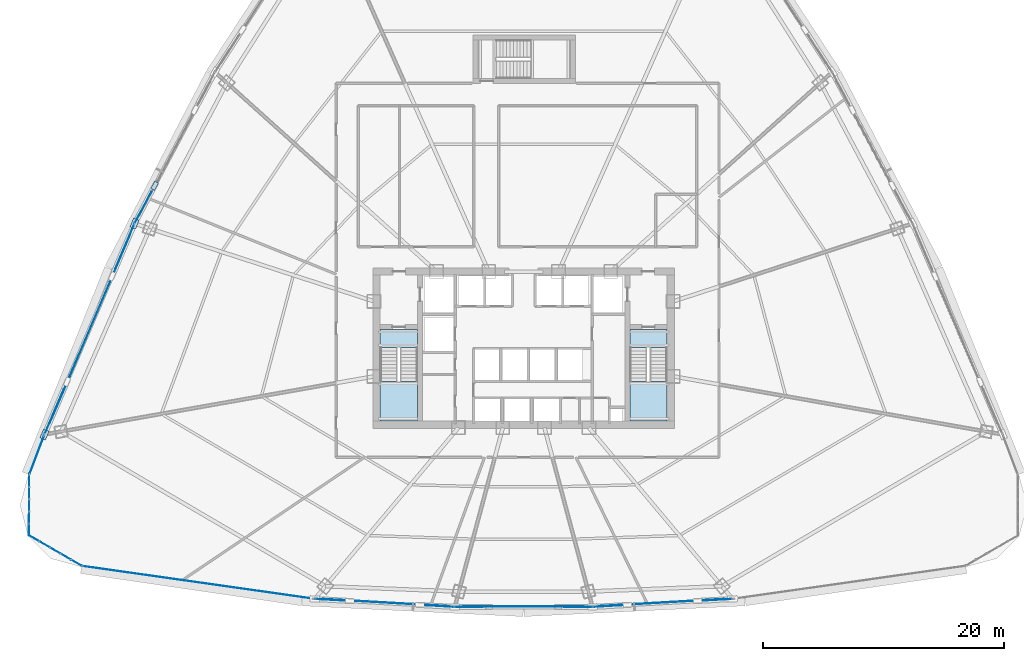
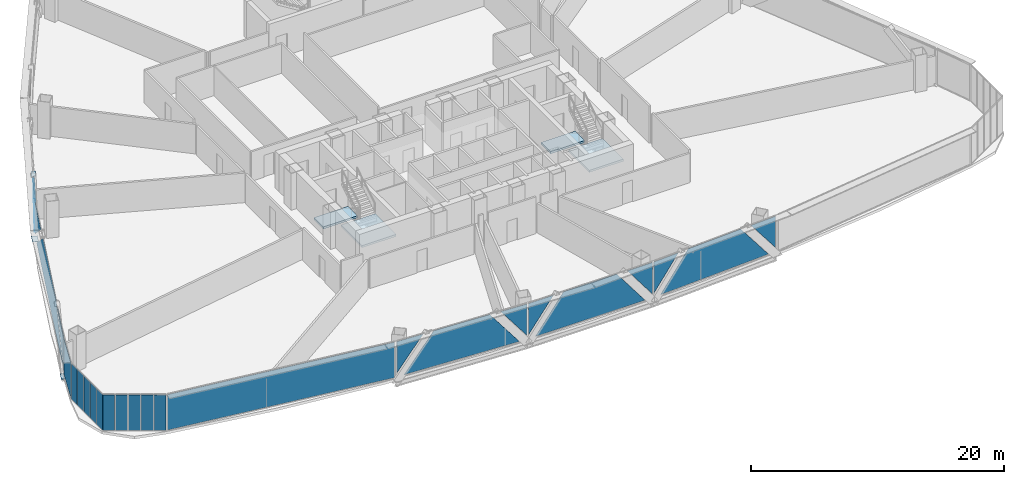
# One storey, part 30 of 41: 28 plates, 4 slabs, 11 elements without a shape of their own.
"""IFC4 building model written with IfcOpenShell, lengths in metres."""

from ifc_helpers import new_model, si_unit, direction, frame, origin, origin_2d, place, context, subcontext, project, spatial, polyline, rectangle, outline, extrude, source, transform, mapped, material, layer, layer_set, type_object, element, aggregate, save


model = new_model("IFC4")

# Units and contexts
model_context = context("Model", 3, precision=1e-05, world=origin(), true_north=direction((0.0, 1.0)))
body_context = subcontext(model_context, "Body", "Model", "MODEL_VIEW")
ifc_project = project(units=[si_unit("LENGTHUNIT", "METRE"), si_unit("AREAUNIT", "SQUARE_METRE"), si_unit("VOLUMEUNIT", "CUBIC_METRE"), si_unit("PLANEANGLEUNIT", "RADIAN"), si_unit("MASSUNIT", "GRAM", prefix="KILO"), si_unit("THERMODYNAMICTEMPERATUREUNIT", "KELVIN"), si_unit("POWERUNIT", "WATT")], contexts=[model_context])

# Site, building, storey
site_placement = place(None, origin())
site = spatial("IfcSite", under=ifc_project, at=site_placement, CompositionType="ELEMENT")
building_placement = place(site_placement, origin())
building = spatial("IfcBuilding", under=site, at=building_placement, Name="Yunzhuo Pagoda Commons", CompositionType="ELEMENT")
storey_placement = place(building_placement, frame((0.0, 0.0, 111.580078125)))
storey = spatial("IfcBuildingStorey", under=building, at=storey_placement, Name="L28", CompositionType="ELEMENT", Elevation=111.580078125)

# Curtain wall, plates
ifc_material_1 = material(Name="Anodized aluminium 6063-T6", Category="aluminium")
ifc_layer_1 = layer(ifc_material_1, 0.1650390625)
ifc_layer_set_1 = layer_set([ifc_layer_1], Name="Anodized aluminium 6063-T6")
curtain_wall_type_1 = type_object("IfcCurtainWallType", Name="CW-LOW Low-Zone Ribbon Curtain Wall", PredefinedType="NOTDEFINED", material=ifc_layer_set_1)
curtain_wall_1_placement = place(storey_placement, origin())
curtain_wall_1 = element("IfcCurtainWall", 1, at=curtain_wall_1_placement, inside=storey, type_object=curtain_wall_type_1, Name="L28 curtain wall CW-L28-F1B2", PredefinedType="NOTDEFINED")
ifc_material_2 = material(Name="Tempered low-e double glazing", Category="glass")
ifc_layer_2 = layer(ifc_material_2, 0.028076171875)
ifc_layer_set_2 = layer_set([ifc_layer_2], Name="Tempered low-e double glazing")
plate_type_1 = type_object("IfcPlateType", Name="CW-LOW-P Low-E Double Glazing 28", PredefinedType="CURTAIN_PANEL", material=ifc_layer_set_2)
plate_1_placement = place(storey_placement, frame((31.8994140625, 12.99853515625, 1.965087890625), z_axis=(-0.057027757736, -0.998372593197, 0.0), x_axis=(0.998372593197, -0.057027757736, 0.0)))
plate_1 = element("IfcPlate", 2, at=plate_1_placement, type_object=plate_type_1, Name="CW panel 1.1 lite 1", PredefinedType="CURTAIN_PANEL", context=body_context, shape_type="SweptSolid", body=[
    extrude(outline(polyline([(-1.159423828125, -1.514892578125), (1.159423828125, 1.514892578125), (-1.159423828125, 1.514892578125), (-1.159423828125, -1.514892578125)])), origin(), (0.0, 0.0, 1.0), 0.028076171875),
])
plate_2_placement = place(storey_placement, frame((36.48583984375, 12.7666015625, 1.77001953125), z_axis=(-0.057027757736, -0.998372593197, 0.0), x_axis=(0.998372593197, -0.057027757736, 0.0)))
plate_2 = element("IfcPlate", 3, at=plate_2_placement, type_object=plate_type_1, Name="CW panel 1.1 lite 2", PredefinedType="CURTAIN_PANEL", context=body_context, shape_type="SweptSolid", body=[
    extrude(outline(polyline([(-5.093017578125, -1.7099609375), (5.093017578125, -1.7099609375), (2.4755859375, 1.7099609375), (-2.4755859375, 1.7099609375), (-5.093017578125, -1.7099609375)])), origin(), (0.0, 0.0, 1.0), 0.028076171875),
])
plate_3_placement = place(storey_placement, frame((41.068603515625, 12.474609375, 1.965087890625), z_axis=(-0.057027757736, -0.998372593197, 0.0), x_axis=(0.998372593197, -0.057027757736, 0.0)))
plate_3 = element("IfcPlate", 4, at=plate_3_placement, type_object=plate_type_1, Name="CW panel 1.1 lite 3", PredefinedType="CURTAIN_PANEL", context=body_context, shape_type="SweptSolid", body=[
    extrude(outline(polyline([(-1.159423828125, 1.514892578125), (1.159423828125, -1.514892578125), (1.159423828125, 1.514892578125), (-1.159423828125, 1.514892578125)])), origin(), (0.0, 0.0, 1.0), 0.028076171875),
])
aggregate(curtain_wall_1, [plate_1, plate_2, plate_3])

curtain_wall_2_placement = place(storey_placement, origin())
curtain_wall_2 = element("IfcCurtainWall", 5, at=curtain_wall_2_placement, inside=storey, type_object=curtain_wall_type_1, Name="L28 curtain wall CW-L28-F1B3", PredefinedType="NOTDEFINED")
plate_4_placement = place(storey_placement, frame((43.489990234375, 12.4052734375, 1.969482421875), z_axis=(0.0, -1.0, 0.0), x_axis=(1.0, 0.0, 0.0)))
plate_4 = element("IfcPlate", 6, at=plate_4_placement, type_object=plate_type_1, Name="CW panel 1.1 lite 1", PredefinedType="CURTAIN_PANEL", context=body_context, shape_type="SweptSolid", body=[
    extrude(outline(polyline([(-1.134765625, -1.510498046875), (1.134765625, 1.510498046875), (-1.134765625, 1.510498046875), (-1.134765625, -1.510498046875)])), origin(), (0.0, 0.0, 1.0), 0.028076171875),
])
plate_5_placement = place(storey_placement, frame((48.0, 12.43505859375, 1.77001953125), z_axis=(0.0, -1.0, 0.0), x_axis=(1.0, 0.0, 0.0)))
plate_5 = element("IfcPlate", 7, at=plate_5_placement, type_object=plate_type_1, Name="CW panel 1.1 lite 2", PredefinedType="CURTAIN_PANEL", context=body_context, shape_type="SweptSolid", body=[
    extrude(outline(polyline([(-4.993896484375, -1.7099609375), (4.993896484375, -1.7099609375), (2.424560546875, 1.7099609375), (-2.424560546875, 1.7099609375), (-4.993896484375, -1.7099609375)])), origin(), (0.0, 0.0, 1.0), 0.028076171875),
])
plate_6_placement = place(storey_placement, frame((52.510009765625, 12.4052734375, 1.969482421875), z_axis=(0.0, -1.0, 0.0), x_axis=(1.0, 0.0, 0.0)))
plate_6 = element("IfcPlate", 8, at=plate_6_placement, type_object=plate_type_1, Name="CW panel 1.1 lite 3", PredefinedType="CURTAIN_PANEL", context=body_context, shape_type="SweptSolid", body=[
    extrude(outline(polyline([(-1.134765625, 1.510498046875), (1.134765625, -1.510498046875), (1.134765625, 1.510498046875), (-1.134765625, 1.510498046875)])), origin(), (0.0, 0.0, 1.0), 0.028076171875),
])
aggregate(curtain_wall_2, [plate_4, plate_5, plate_6])

curtain_wall_3_placement = place(storey_placement, origin())
curtain_wall_3 = element("IfcCurtainWall", 9, at=curtain_wall_3_placement, inside=storey, type_object=curtain_wall_type_1, Name="L28 curtain wall CW-L28-F1B4", PredefinedType="NOTDEFINED")
plate_7_placement = place(storey_placement, frame((54.931396484375, 12.474609375, 1.965087890625), z_axis=(0.057027757736, -0.998372593197, 0.0), x_axis=(0.998372593197, 0.057027757736, 0.0)))
plate_7 = element("IfcPlate", 10, at=plate_7_placement, type_object=plate_type_1, Name="CW panel 1.1 lite 1", PredefinedType="CURTAIN_PANEL", context=body_context, shape_type="SweptSolid", body=[
    extrude(outline(polyline([(-1.159423828125, -1.514892578125), (1.159423828125, 1.514892578125), (-1.159423828125, 1.514892578125), (-1.159423828125, -1.514892578125)])), origin(), (0.0, 0.0, 1.0), 0.028076171875),
])
plate_8_placement = place(storey_placement, frame((59.51416015625, 12.7666015625, 1.77001953125), z_axis=(0.057027757736, -0.998372593197, 0.0), x_axis=(0.998372593197, 0.057027757736, 0.0)))
plate_8 = element("IfcPlate", 11, at=plate_8_placement, type_object=plate_type_1, Name="CW panel 1.1 lite 2", PredefinedType="CURTAIN_PANEL", context=body_context, shape_type="SweptSolid", body=[
    extrude(outline(polyline([(-5.093017578125, -1.7099609375), (5.093017578125, -1.7099609375), (2.4755859375, 1.7099609375), (-2.4755859375, 1.7099609375), (-5.093017578125, -1.7099609375)])), origin(), (0.0, 0.0, 1.0), 0.028076171875),
])
plate_9_placement = place(storey_placement, frame((64.1005859375, 12.99853515625, 1.965087890625), z_axis=(0.057027757736, -0.998372593197, 0.0), x_axis=(0.998372593197, 0.057027757736, 0.0)))
plate_9 = element("IfcPlate", 12, at=plate_9_placement, type_object=plate_type_1, Name="CW panel 1.1 lite 3", PredefinedType="CURTAIN_PANEL", context=body_context, shape_type="SweptSolid", body=[
    extrude(outline(polyline([(-1.159423828125, 1.514892578125), (1.159423828125, -1.514892578125), (1.159423828125, 1.514892578125), (-1.159423828125, 1.514892578125)])), origin(), (0.0, 0.0, 1.0), 0.028076171875),
])
aggregate(curtain_wall_3, [plate_7, plate_8, plate_9])

# Curtain wall, plate
curtain_wall_4_placement = place(storey_placement, origin())
curtain_wall_4 = element("IfcCurtainWall", 13, at=curtain_wall_4_placement, inside=storey, type_object=curtain_wall_type_1, Name="L28 curtain wall CW-L28-F3B3", PredefinedType="NOTDEFINED")
plate_10_placement = place(storey_placement, frame((16.467529296875, 45.51904296875, 1.922607421875), z_axis=(-0.88333303698, 0.468745928813, 0.0), x_axis=(-0.468745928813, -0.88333303698, 0.0)))
plate_10 = element("IfcPlate", 14, at=plate_10_placement, type_object=plate_type_1, Name="CW panel 1.1 lite 3", PredefinedType="CURTAIN_PANEL", context=body_context, shape_type="SweptSolid", body=[
    extrude(outline(polyline([(-1.456787109375, 1.55712890625), (1.456787109375, -1.55712890625), (1.456787109375, 1.55712890625), (-1.456787109375, 1.55712890625)])), origin(), (0.0, 0.0, 1.0), 0.028076171875),
])
aggregate(curtain_wall_4, [plate_10])

# Curtain wall, plates
curtain_wall_5_placement = place(storey_placement, origin())
curtain_wall_5 = element("IfcCurtainWall", 15, at=curtain_wall_5_placement, inside=storey, type_object=curtain_wall_type_1, Name="L28 curtain wall CW-L28-F3B4", PredefinedType="NOTDEFINED")
plate_11_placement = place(storey_placement, frame((14.94287109375, 42.2744140625, 1.879150390625), z_axis=(-0.919648900825, 0.392741517046, 0.0), x_axis=(-0.392741517046, -0.919648900825, 0.0)))
plate_11 = element("IfcPlate", 16, at=plate_11_placement, type_object=plate_type_1, Name="CW panel 1.1 lite 1", PredefinedType="CURTAIN_PANEL", context=body_context, shape_type="SweptSolid", body=[
    extrude(outline(polyline([(-2.00244140625, -1.6005859375), (2.00244140625, 1.600830078125), (-2.00244140625, 1.600830078125), (-2.00244140625, -1.6005859375)])), origin(), (0.0, 0.0, 1.0), 0.028076171875),
])
plate_12_placement = place(storey_placement, frame((12.048583984375, 35.4208984375, 1.77001953125), z_axis=(-0.919648900825, 0.392741517046, 0.0), x_axis=(-0.392741517046, -0.919648900825, 0.0)))
plate_12 = element("IfcPlate", 17, at=plate_12_placement, type_object=plate_type_1, Name="CW panel 1.1 lite 2", PredefinedType="CURTAIN_PANEL", context=body_context, shape_type="SweptSolid", body=[
    extrude(outline(polyline([(-8.498046875, -1.7099609375), (8.498046875, -1.7099609375), (4.219970703125, 1.7099609375), (-4.219970703125, 1.7099609375), (-8.498046875, -1.7099609375)])), origin(), (0.0, 0.0, 1.0), 0.028076171875),
])
plate_13_placement = place(storey_placement, frame((9.09912109375, 28.591064453125, 1.879150390625), z_axis=(-0.919648900825, 0.392741517046, 0.0), x_axis=(-0.392741517046, -0.919648900825, 0.0)))
plate_13 = element("IfcPlate", 18, at=plate_13_placement, type_object=plate_type_1, Name="CW panel 1.1 lite 3", PredefinedType="CURTAIN_PANEL", context=body_context, shape_type="SweptSolid", body=[
    extrude(outline(polyline([(-2.00244140625, 1.600830078125), (2.00244140625, -1.6005859375), (2.00244140625, 1.600830078125), (-2.00244140625, 1.600830078125)])), origin(), (0.0, 0.0, 1.0), 0.028076171875),
])
aggregate(curtain_wall_5, [plate_11, plate_12, plate_13])

# Stair, slabs
ifc_material_3 = material(Name="Concrete C40", Category="concrete")
stair_type_1 = type_object("IfcStairType", Name="ST-C1 Core Smokeproof Stair ST1", PredefinedType="HALF_TURN_STAIR", material=ifc_material_3)
stair_1_placement = place(storey_placement, origin())
stair_1 = element("IfcStair", 19, at=stair_1_placement, inside=storey, type_object=stair_type_1, Name="L28 Core smokeproof stair ST1", PredefinedType="HALF_TURN_STAIR")
ifc_layer_3 = layer(ifc_material_3, 0.199951171875)
ifc_layer_set_3 = layer_set([ifc_layer_3], Name="Concrete C40")
slab_type_1 = type_object("IfcSlabType", Name="SL-LND1 Stair Landing Slab 200", PredefinedType="LANDING", material=ifc_layer_set_3)
slab_1_placement = place(storey_placement, frame((0.0, 0.0, 1.699951171875)))
slab_1 = element("IfcSlab", 20, at=slab_1_placement, type_object=slab_type_1, Name="ST1 landing 1", PredefinedType="LANDING", context=body_context, shape_type="SweptSolid", body=[
    extrude(outline(polyline([(36.10009765625, 31.10009765625), (36.10009765625, 27.800048828125), (39.199951171875, 27.800048828125), (39.199951171875, 31.10009765625), (36.10009765625, 31.10009765625)])), origin(), (0.0, 0.0, 1.0), 0.199951171875),
])
slab_2_placement = place(storey_placement, frame((0.0, 0.0, -0.2001953125)))
slab_2 = element("IfcSlab", 21, at=slab_2_placement, type_object=slab_type_1, Name="ST1 floor landing L28", PredefinedType="LANDING", context=body_context, shape_type="SweptSolid", body=[
    extrude(outline(polyline([(36.10009765625, 35.39990234375), (36.10009765625, 33.89990234375), (39.199951171875, 33.89990234375), (39.199951171875, 35.39990234375), (36.10009765625, 35.39990234375)])), origin(), (0.0, 0.0, 1.0), 0.2001953125),
])
aggregate(stair_1, [slab_1, slab_2])

stair_type_2 = type_object("IfcStairType", Name="ST-C2 Core Smokeproof Stair ST2", PredefinedType="HALF_TURN_STAIR", material=ifc_material_3)
stair_2_placement = place(storey_placement, origin())
stair_2 = element("IfcStair", 22, at=stair_2_placement, inside=storey, type_object=stair_type_2, Name="L28 Core smokeproof stair ST2", PredefinedType="HALF_TURN_STAIR")
ifc_layer_4 = layer(ifc_material_3, 0.201904296875)
ifc_layer_set_4 = layer_set([ifc_layer_4], Name="Concrete C40")
slab_type_2 = type_object("IfcSlabType", Name="SL-LND2 Stair Landing Slab 202", PredefinedType="LANDING", material=ifc_layer_set_4)
slab_3_placement = place(storey_placement, frame((0.0, 0.0, 1.699951171875)))
slab_3 = element("IfcSlab", 23, at=slab_3_placement, type_object=slab_type_2, Name="ST2 landing 1", PredefinedType="LANDING", context=body_context, shape_type="SweptSolid", body=[
    extrude(outline(polyline([(56.800048828125, 31.10009765625), (56.800048828125, 27.800048828125), (59.89990234375, 27.800048828125), (59.89990234375, 31.10009765625), (56.800048828125, 31.10009765625)])), origin(), (0.0, 0.0, 1.0), 0.199951171875),
])
slab_4_placement = place(storey_placement, frame((0.0, 0.0, -0.2001953125)))
slab_4 = element("IfcSlab", 24, at=slab_4_placement, type_object=slab_type_2, Name="ST2 floor landing L28", PredefinedType="LANDING", context=body_context, shape_type="SweptSolid", body=[
    extrude(outline(polyline([(56.800048828125, 35.39990234375), (56.800048828125, 33.89990234375), (59.89990234375, 33.89990234375), (59.89990234375, 35.39990234375), (56.800048828125, 35.39990234375)])), origin(), (0.0, 0.0, 1.0), 0.2001953125),
])
aggregate(stair_2, [slab_3, slab_4])

# Plates
ifc_material_4 = material(Name="Structural steel Q355B", Category="steel")
ifc_layer_5 = layer(ifc_material_4, 0.028076171875)
ifc_layer_set_5 = layer_set([ifc_layer_5], Name="Structural steel Q355B")
plate_type_2 = type_object("IfcPlateType", Name="SP-ND1 Lattice Node Cap Plate 800x500x28", PredefinedType="USERDEFINED", material=ifc_layer_set_5)
shared_shape_1 = source(origin(), body_context, "Body", "SweptSolid", [
    extrude(rectangle(XDim=0.800048828125, YDim=0.5, at=origin_2d()), origin(), (0.0, 0.0, 1.0), 0.028076171875),
])
for number, where, z_axis, x_axis, name in (
    (25, (15.74169921875, 44.181396484375, -0.27392578125), (0.0, 0.0, 1.0), (-0.392738427085, -0.919650220405, 0.0), "L28 diamond node plate F3.3A"),
    (26, (8.2744140625, 26.6953125, -0.27392578125), (0.0, 0.0, 1.0), (-0.392738427085, -0.919650220405, 0.0), "L28 diamond node plate F3.3B"),
):
    element("IfcPlate", number, at=place(storey_placement, frame(where, z_axis=z_axis, x_axis=x_axis)), inside=storey, type_object=plate_type_2, Name=name, ObjectType="STIFFENER_PLATE", PredefinedType="USERDEFINED", context=body_context, shape_type="MappedRepresentation", body=[
        mapped(shared_shape_1, transform((0.0, 0.0, 0.0), scale=1.0)),
    ])
shared_shape_2 = source(origin(), body_context, "Body", "SweptSolid", [
    extrude(rectangle(XDim=0.699951171875, YDim=0.35009765625, at=origin_2d()), origin(), (0.0, 0.0, 1.0), 0.035888671875),
])
plate_14_placement = place(storey_placement, frame((17.408203125, 47.32177734375, 3.501953125), z_axis=(0.0, 0.0, 1.0), x_axis=(-0.46874711881, -0.8833324055, 0.0)))
element("IfcPlate", 27, at=plate_14_placement, inside=storey, type_object=plate_type_2, Name="L28 setback lattice tie plate F3.2R", ObjectType="STIFFENER_PLATE", PredefinedType="USERDEFINED", context=body_context, shape_type="MappedRepresentation", body=[
    mapped(shared_shape_2, transform((0.0, 0.0, 0.0), scale=1.0)),
])

# Curtain wall, plate
curtain_wall_6_placement = place(storey_placement, origin())
curtain_wall_6 = element("IfcCurtainWall", 28, at=curtain_wall_6_placement, inside=storey, type_object=curtain_wall_type_1, Name="L28 curtain wall CW-L28-F1B1", PredefinedType="NOTDEFINED")
shared_shape_3 = source(origin(), body_context, "Body", "SweptSolid", [
    extrude(rectangle(XDim=19.310546875, YDim=0.028076171875, at=origin_2d()), origin(), (0.0, 0.0, 1.0), 3.419921875),
])
plate_15_placement = place(storey_placement, frame((20.97802734375, 14.4296875, 0.06005859375), z_axis=(0.0, 0.0, 1.0), x_axis=(0.990093724606, -0.140408035721, 0.0)))
plate_15 = element("IfcPlate", 29, at=plate_15_placement, type_object=plate_type_1, Name="CW panel 1.1", PredefinedType="CURTAIN_PANEL", context=body_context, shape_type="MappedRepresentation", body=[
    mapped(shared_shape_3, transform((0.0, 0.0, 0.0), scale=1.0)),
])
aggregate(curtain_wall_6, [plate_15])

curtain_wall_7_placement = place(storey_placement, origin())
curtain_wall_7 = element("IfcCurtainWall", 30, at=curtain_wall_7_placement, inside=storey, type_object=curtain_wall_type_1, Name="L28 curtain wall CW-L28-F3B5", PredefinedType="NOTDEFINED")
shared_shape_4 = source(origin(), body_context, "Body", "SweptSolid", [
    extrude(rectangle(XDim=3.3642578125, YDim=0.028076171875, at=origin_2d()), origin(), (0.0, 0.0, 1.0), 3.419921875),
])
plate_16_placement = place(storey_placement, frame((7.6298828125, 24.99072265625, 0.06005859375), z_axis=(0.0, 0.0, 1.0), x_axis=(-0.353599796011, -0.935396805779, 0.0)))
plate_16 = element("IfcPlate", 31, at=plate_16_placement, type_object=plate_type_1, Name="CW panel 1.1", PredefinedType="CURTAIN_PANEL", context=body_context, shape_type="MappedRepresentation", body=[
    mapped(shared_shape_4, transform((0.0, 0.0, 0.0), scale=1.0)),
])
aggregate(curtain_wall_7, [plate_16])

# Curtain wall, plates
ifc_layer_6 = layer(ifc_material_1, 0.1298828125)
ifc_layer_set_6 = layer_set([ifc_layer_6], Name="Anodized aluminium 6063-T6")
curtain_wall_type_2 = type_object("IfcCurtainWallType", Name="CW-VTX Rounded Corner Curtain Wall", PredefinedType="NOTDEFINED", material=ifc_layer_set_6)
curtain_wall_8_placement = place(storey_placement, origin())
curtain_wall_8 = element("IfcCurtainWall", 32, at=curtain_wall_8_placement, inside=storey, type_object=curtain_wall_type_2, Name="L28 curtain wall CW-L28-VTX1S1", PredefinedType="NOTDEFINED")
ifc_layer_7 = layer(ifc_material_2, 0.02587890625)
ifc_layer_set_7 = layer_set([ifc_layer_7], Name="Tempered low-e double glazing")
plate_type_3 = type_object("IfcPlateType", Name="CW-VTX-P Low-E Double Glazing 26", PredefinedType="CURTAIN_PANEL", material=ifc_layer_set_7)
shared_shape_5 = source(origin(), body_context, "Body", "SweptSolid", [
    extrude(rectangle(XDim=0.934326171875, YDim=0.028076171875, at=origin_2d()), origin(), (0.0, 0.0, 1.0), 3.429931640625),
])
plate_17_placement = place(storey_placement, frame((7.01025390625, 22.834228515625, 0.05517578125), z_axis=(0.0, 0.0, 1.0), x_axis=(-0.003599433805, -0.999993522017, 0.0)))
plate_17 = element("IfcPlate", 33, at=plate_17_placement, type_object=plate_type_3, Name="CW panel 1.1", PredefinedType="CURTAIN_PANEL", context=body_context, shape_type="MappedRepresentation", body=[
    mapped(shared_shape_5, transform((0.0, 0.0, 0.0), scale=1.0)),
])
plate_18_placement = place(storey_placement, frame((6.995849609375, 18.794677734375, 0.05517578125), z_axis=(0.0, 0.0, 1.0), x_axis=(-0.003599433805, -0.999993522017, 0.0)))
plate_18 = element("IfcPlate", 34, at=plate_18_placement, type_object=plate_type_3, Name="CW panel 5.1", PredefinedType="CURTAIN_PANEL", context=body_context, shape_type="MappedRepresentation", body=[
    mapped(shared_shape_5, transform((0.0, 0.0, 0.0), scale=1.0)),
])

curtain_wall_9_placement = place(storey_placement, origin())
curtain_wall_9 = element("IfcCurtainWall", 35, at=curtain_wall_9_placement, inside=storey, type_object=curtain_wall_type_2, Name="L28 curtain wall CW-L28-VTX1S2", PredefinedType="NOTDEFINED")
plate_19_placement = place(storey_placement, frame((7.406005859375, 18.080322265625, 0.05517578125), z_axis=(0.0, 0.0, 1.0), x_axis=(0.865428529789, -0.501032393989, 0.0)))
plate_19 = element("IfcPlate", 36, at=plate_19_placement, type_object=plate_type_3, Name="CW panel 1.1", PredefinedType="CURTAIN_PANEL", context=body_context, shape_type="MappedRepresentation", body=[
    mapped(shared_shape_5, transform((0.0, 0.0, 0.0), scale=1.0)),
])
plate_20_placement = place(storey_placement, frame((10.902099609375, 16.05615234375, 0.05517578125), z_axis=(0.0, 0.0, 1.0), x_axis=(0.865428529789, -0.501032393989, 0.0)))
plate_20 = element("IfcPlate", 37, at=plate_20_placement, type_object=plate_type_3, Name="CW panel 5.1", PredefinedType="CURTAIN_PANEL", context=body_context, shape_type="MappedRepresentation", body=[
    mapped(shared_shape_5, transform((0.0, 0.0, 0.0), scale=1.0)),
])

# Plate
shared_shape_6 = source(origin(), body_context, "Body", "SweptSolid", [
    extrude(rectangle(XDim=0.9619140625, YDim=0.028076171875, at=origin_2d()), origin(), (0.0, 0.0, 1.0), 3.429931640625),
])
plate_21_placement = place(storey_placement, frame((7.006591796875, 21.831298828125, 0.05517578125), z_axis=(0.0, 0.0, 1.0), x_axis=(-0.003599433805, -0.999993522017, 0.0)))
plate_21 = element("IfcPlate", 38, at=plate_21_placement, type_object=plate_type_3, Name="CW panel 2.1", PredefinedType="CURTAIN_PANEL", context=body_context, shape_type="MappedRepresentation", body=[
    mapped(shared_shape_6, transform((0.0, 0.0, 0.0), scale=1.0)),
])

plate_22_placement = place(storey_placement, frame((7.0029296875, 20.814453125, 0.05517578125), z_axis=(0.0, 0.0, 1.0), x_axis=(-0.003599433805, -0.999993522017, 0.0)))
plate_22 = element("IfcPlate", 39, at=plate_22_placement, type_object=plate_type_3, Name="CW panel 3.1", PredefinedType="CURTAIN_PANEL", context=body_context, shape_type="MappedRepresentation", body=[
    mapped(shared_shape_6, transform((0.0, 0.0, 0.0), scale=1.0)),
])

plate_23_placement = place(storey_placement, frame((6.99951171875, 19.797607421875, 0.05517578125), z_axis=(0.0, 0.0, 1.0), x_axis=(-0.003599433805, -0.999993522017, 0.0)))
plate_23 = element("IfcPlate", 40, at=plate_23_placement, type_object=plate_type_3, Name="CW panel 4.1", PredefinedType="CURTAIN_PANEL", context=body_context, shape_type="MappedRepresentation", body=[
    mapped(shared_shape_6, transform((0.0, 0.0, 0.0), scale=1.0)),
])

aggregate(curtain_wall_8, [plate_17, plate_21, plate_22, plate_23, plate_18])

plate_24_placement = place(storey_placement, frame((8.27392578125, 17.57763671875, 0.05517578125), z_axis=(0.0, 0.0, 1.0), x_axis=(0.865428529789, -0.501032393989, 0.0)))
plate_24 = element("IfcPlate", 41, at=plate_24_placement, type_object=plate_type_3, Name="CW panel 2.1", PredefinedType="CURTAIN_PANEL", context=body_context, shape_type="MappedRepresentation", body=[
    mapped(shared_shape_6, transform((0.0, 0.0, 0.0), scale=1.0)),
])

plate_25_placement = place(storey_placement, frame((9.154052734375, 17.068115234375, 0.05517578125), z_axis=(0.0, 0.0, 1.0), x_axis=(0.865428529789, -0.501032393989, 0.0)))
plate_25 = element("IfcPlate", 42, at=plate_25_placement, type_object=plate_type_3, Name="CW panel 3.1", PredefinedType="CURTAIN_PANEL", context=body_context, shape_type="MappedRepresentation", body=[
    mapped(shared_shape_6, transform((0.0, 0.0, 0.0), scale=1.0)),
])

plate_26_placement = place(storey_placement, frame((10.0341796875, 16.558837890625, 0.05517578125), z_axis=(0.0, 0.0, 1.0), x_axis=(0.865428529789, -0.501032393989, 0.0)))
plate_26 = element("IfcPlate", 43, at=plate_26_placement, type_object=plate_type_3, Name="CW panel 4.1", PredefinedType="CURTAIN_PANEL", context=body_context, shape_type="MappedRepresentation", body=[
    mapped(shared_shape_6, transform((0.0, 0.0, 0.0), scale=1.0)),
])

aggregate(curtain_wall_9, [plate_19, plate_24, plate_25, plate_26, plate_20])

save(model, "model.ifc")
